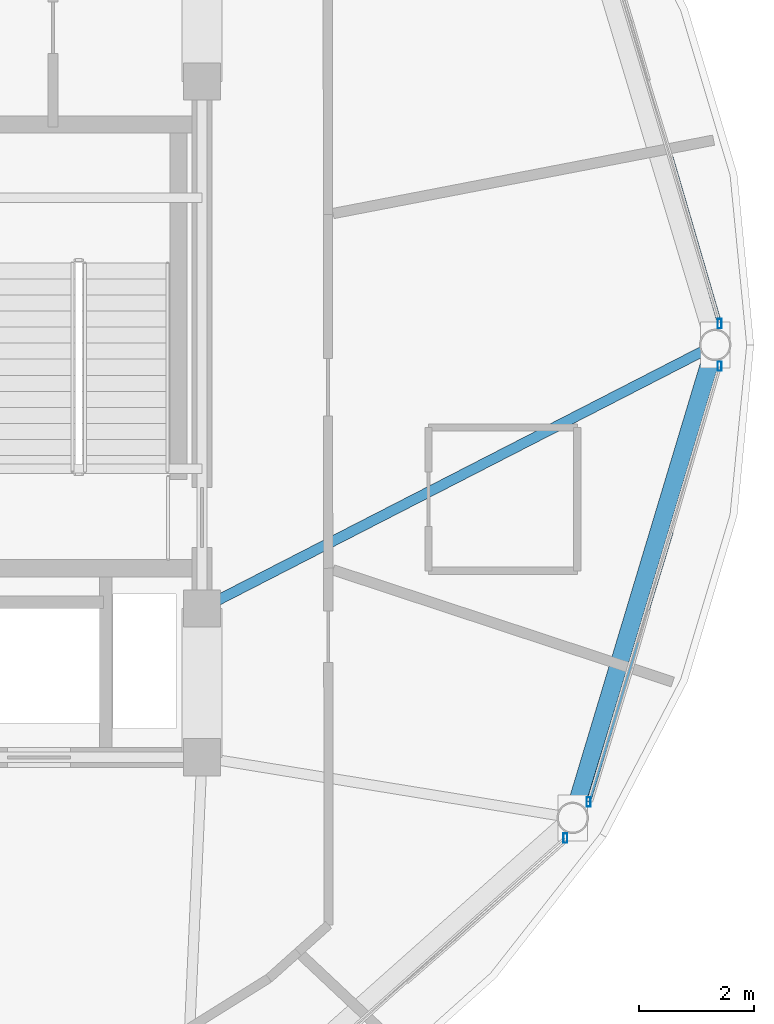
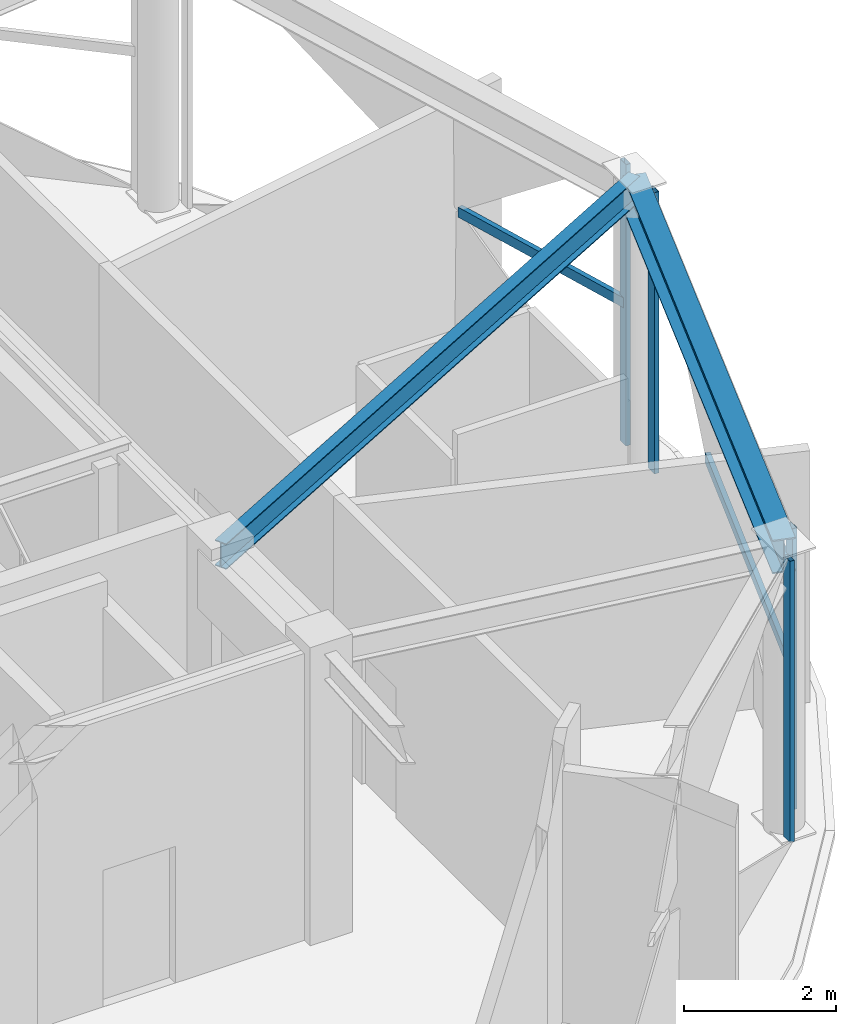
# One storey, part 12 of 22: 6 members, 2 beams, 3 elements without a shape of their own.
"""IFC4 building model written with IfcOpenShell, lengths in metres."""

from ifc_helpers import new_model, si_unit, direction, frame, origin, origin_2d, place, context, subcontext, project, spatial, hollow_rectangle, i_section, extrude, material, layer, layer_set, material_profile, profile_set, type_object, element, aggregate, save


model = new_model("IFC4")

# Units and contexts
model_context = context("Model", 3, precision=1e-05, world=origin(), true_north=direction((0.0, 1.0)))
body_context = subcontext(model_context, "Body", "Model", "MODEL_VIEW")
ifc_project = project(units=[si_unit("LENGTHUNIT", "METRE"), si_unit("AREAUNIT", "SQUARE_METRE"), si_unit("VOLUMEUNIT", "CUBIC_METRE"), si_unit("PLANEANGLEUNIT", "RADIAN"), si_unit("MASSUNIT", "GRAM", prefix="KILO")], contexts=[model_context])

# Site, building, storey
site_placement = place(None, origin())
site = spatial("IfcSite", under=ifc_project, at=site_placement, CompositionType="ELEMENT")
building_placement = place(site_placement, origin())
building = spatial("IfcBuilding", under=site, at=building_placement, Name="Vantalir Tower", CompositionType="ELEMENT")
storey_placement = place(building_placement, frame((0.0, 0.0, 294.89990234375)))
storey = spatial("IfcBuildingStorey", under=building, at=storey_placement, Name="L74", CompositionType="ELEMENT", Elevation=294.89990234375)

# Beams
ifc_material_1 = material(Name="Steel S355", Category="steel")
ifc_material_profile_1 = material_profile(ifc_material_1, i_section(OverallWidth=0.179931640625, OverallDepth=0.4130859375, WebThickness=0.009521484375, FlangeThickness=0.01611328125, at=origin_2d()), Name="Steel S355")
ifc_profile_set_1 = profile_set([ifc_material_profile_1], Name="Steel S355")
beam_type_1 = type_object("IfcBeamType", Name="BM-RB-406x178", PredefinedType="BEAM", material=ifc_profile_set_1)
beam_1_placement = place(storey_placement, frame((50.06005859375, 25.0, 4.4140625), z_axis=(-0.8896058829, -0.456728993068, 0.0), x_axis=(0.456728993068, -0.8896058829, 0.0)))
element("IfcBeam", 1, at=beam_1_placement, inside=storey, type_object=beam_type_1, Name="L74 Radial Floor Beam 01", PredefinedType="BEAM", context=body_context, shape_type="SweptSolid", body=[
    extrude(i_section(OverallWidth=0.179931640625, OverallDepth=0.4130859375, WebThickness=0.009521484375, FlangeThickness=0.01611328125, at=origin_2d()), origin(), (0.0, 0.0, 1.0), 10.07177734375),
])
ifc_material_2 = material(Name="Steel S460", Category="steel")
ifc_material_profile_2 = material_profile(ifc_material_2, i_section(OverallWidth=0.31201171875, OverallDepth=0.5419921875, WebThickness=0.0126953125, FlangeThickness=0.020263671875, at=origin_2d()), Name="Steel S460")
ifc_profile_set_2 = profile_set([ifc_material_profile_2], Name="Steel S460")
beam_type_2 = type_object("IfcBeamType", Name="BM-RG-533x312", PredefinedType="USERDEFINED", material=ifc_profile_set_2)
beam_2_placement = place(storey_placement, frame((47.572998046875, 16.743896484375, 4.34912109375), z_axis=(0.288436105836, 0.957499145091, 0.0), x_axis=(-0.957499145091, 0.288436105836, 0.0)))
element("IfcBeam", 2, at=beam_2_placement, inside=storey, type_object=beam_type_2, Name="L74 Circumferential Ring Girder 12", ObjectType="GIRDER", PredefinedType="USERDEFINED", context=body_context, shape_type="SweptSolid", body=[
    extrude(i_section(OverallWidth=0.31201171875, OverallDepth=0.5419921875, WebThickness=0.0126953125, FlangeThickness=0.020263671875, at=origin_2d()), origin(), (0.0, 0.0, 1.0), 8.62255859375),
])

# Curtain wall, member
ifc_material_3 = material(Name="Champagne-silver PVDF aluminium and double-silver Low-E glass", Category="aluminium")
ifc_layer = layer(ifc_material_3, 0.219970703125)
ifc_layer_set = layer_set([ifc_layer], Name="Champagne-silver PVDF aluminium and double-silver Low-E glass")
curtain_wall_type = type_object("IfcCurtainWallType", Name="CW-DIAMOND-Z4", PredefinedType="USERDEFINED", material=ifc_layer_set)
curtain_wall_1_placement = place(storey_placement, origin())
curtain_wall_1 = element("IfcCurtainWall", 3, at=curtain_wall_1_placement, inside=storey, type_object=curtain_wall_type, Name="L74 Quilted Pyramid-Diamond Curtain Wall S01", ObjectType="UNITISED CURTAIN WALL", PredefinedType="USERDEFINED")
ifc_material_4 = material(Name="Champagne-silver PVDF aluminium 6063-T6", Category="aluminium")
ifc_material_profile_3 = material_profile(ifc_material_4, hollow_rectangle(XDim=0.070068359375, YDim=0.1650390625, WallThickness=0.00390625, at=origin_2d()), Name="Champagne-silver PVDF aluminium 6063-T6")
ifc_profile_set_3 = profile_set([ifc_material_profile_3], Name="Champagne-silver PVDF aluminium 6063-T6")
member_type_1 = type_object("IfcMemberType", Name="CWM-165x70", PredefinedType="MULLION", material=ifc_profile_set_3)
member_1_placement = place(storey_placement, frame((50.137939453125, 25.373046875, 0.045166015625), z_axis=(0.0, 0.0, 1.0), x_axis=(1.0, 0.0, 0.0)))
member_1 = element("IfcMember", 4, at=member_1_placement, type_object=member_type_1, Name="CW-L74-S01 Mullion 1", PredefinedType="MULLION", context=body_context, shape_type="SweptSolid", body=[
    extrude(hollow_rectangle(XDim=0.070068359375, YDim=0.1650390625, WallThickness=0.00390625, at=origin_2d()), origin(), (0.0, 0.0, 1.0), 4.530029296875),
])

curtain_wall_2_placement = place(storey_placement, origin())
curtain_wall_2 = element("IfcCurtainWall", 5, at=curtain_wall_2_placement, inside=storey, type_object=curtain_wall_type, Name="L74 Quilted Pyramid-Diamond Curtain Wall S11", ObjectType="UNITISED CURTAIN WALL", PredefinedType="USERDEFINED")
member_2_placement = place(storey_placement, frame((47.447021484375, 16.389892578125, 0.045166015625), z_axis=(0.0, 0.0, 1.0), x_axis=(1.0, 0.0, 0.0)))
member_2 = element("IfcMember", 6, at=member_2_placement, type_object=member_type_1, Name="CW-L74-S11 Mullion 2", PredefinedType="MULLION", context=body_context, shape_type="SweptSolid", body=[
    extrude(hollow_rectangle(XDim=0.070068359375, YDim=0.1650390625, WallThickness=0.00390625, at=origin_2d()), origin(), (0.0, 0.0, 1.0), 4.530029296875),
])
aggregate(curtain_wall_2, [member_2])

# Curtain wall, members
curtain_wall_3_placement = place(storey_placement, origin())
curtain_wall_3 = element("IfcCurtainWall", 7, at=curtain_wall_3_placement, inside=storey, type_object=curtain_wall_type, Name="L74 Quilted Pyramid-Diamond Curtain Wall S12", ObjectType="UNITISED CURTAIN WALL", PredefinedType="USERDEFINED")
member_3_placement = place(storey_placement, frame((47.85009765625, 17.02197265625, 0.045166015625), z_axis=(0.0, 0.0, 1.0), x_axis=(1.0, 0.0, 0.0)))
member_3 = element("IfcMember", 8, at=member_3_placement, type_object=member_type_1, Name="CW-L74-S12 Mullion 1", PredefinedType="MULLION", context=body_context, shape_type="SweptSolid", body=[
    extrude(hollow_rectangle(XDim=0.070068359375, YDim=0.1650390625, WallThickness=0.00390625, at=origin_2d()), origin(), (0.0, 0.0, 1.0), 4.530029296875),
])
member_4_placement = place(storey_placement, frame((50.137939453125, 24.626953125, 0.045166015625), z_axis=(0.0, 0.0, 1.0), x_axis=(1.0, 0.0, 0.0)))
member_4 = element("IfcMember", 9, at=member_4_placement, type_object=member_type_1, Name="CW-L74-S12 Mullion 2", PredefinedType="MULLION", context=body_context, shape_type="SweptSolid", body=[
    extrude(hollow_rectangle(XDim=0.070068359375, YDim=0.1650390625, WallThickness=0.00390625, at=origin_2d()), origin(), (0.0, 0.0, 1.0), 4.530029296875),
])

# Member
ifc_material_profile_4 = material_profile(ifc_material_4, hollow_rectangle(XDim=0.074951171875, YDim=0.159912109375, WallThickness=0.00390625, at=origin_2d()), Name="Champagne-silver PVDF aluminium 6063-T6")
ifc_profile_set_4 = profile_set([ifc_material_profile_4], Name="Champagne-silver PVDF aluminium 6063-T6")
member_type_2 = type_object("IfcMemberType", Name="CWT-160x75", PredefinedType="USERDEFINED", material=ifc_profile_set_4)
member_5_placement = place(storey_placement, frame((50.137939453125, 25.373046875, 2.31005859375), z_axis=(-0.280565844159, 0.959834781143, 0.0), x_axis=(-0.959834781143, -0.280565844159, 0.0)))
member_5 = element("IfcMember", 10, at=member_5_placement, type_object=member_type_2, Name="CW-L74-S01 Pyramid Fold Ridge Transom", ObjectType="TRANSOM", PredefinedType="USERDEFINED", context=body_context, shape_type="SweptSolid", body=[
    extrude(hollow_rectangle(XDim=0.074951171875, YDim=0.159912109375, WallThickness=0.00390625, at=origin_2d()), origin(), (0.0, 0.0, 1.0), 3.01513671875),
])

aggregate(curtain_wall_1, [member_1, member_5])

member_6_placement = place(storey_placement, frame((47.85009765625, 17.02197265625, 2.31005859375), z_axis=(0.292671736795, 0.956212975483, 0.0), x_axis=(-0.956212975483, 0.292671736795, 0.0)))
member_6 = element("IfcMember", 11, at=member_6_placement, type_object=member_type_2, Name="CW-L74-S12 Pyramid Fold Ridge Transom", ObjectType="TRANSOM", PredefinedType="USERDEFINED", context=body_context, shape_type="SweptSolid", body=[
    extrude(hollow_rectangle(XDim=0.074951171875, YDim=0.159912109375, WallThickness=0.00390625, at=origin_2d()), origin(), (0.0, 0.0, 1.0), 4.9267578125),
])

aggregate(curtain_wall_3, [member_3, member_4, member_6])

save(model, "model.ifc")
